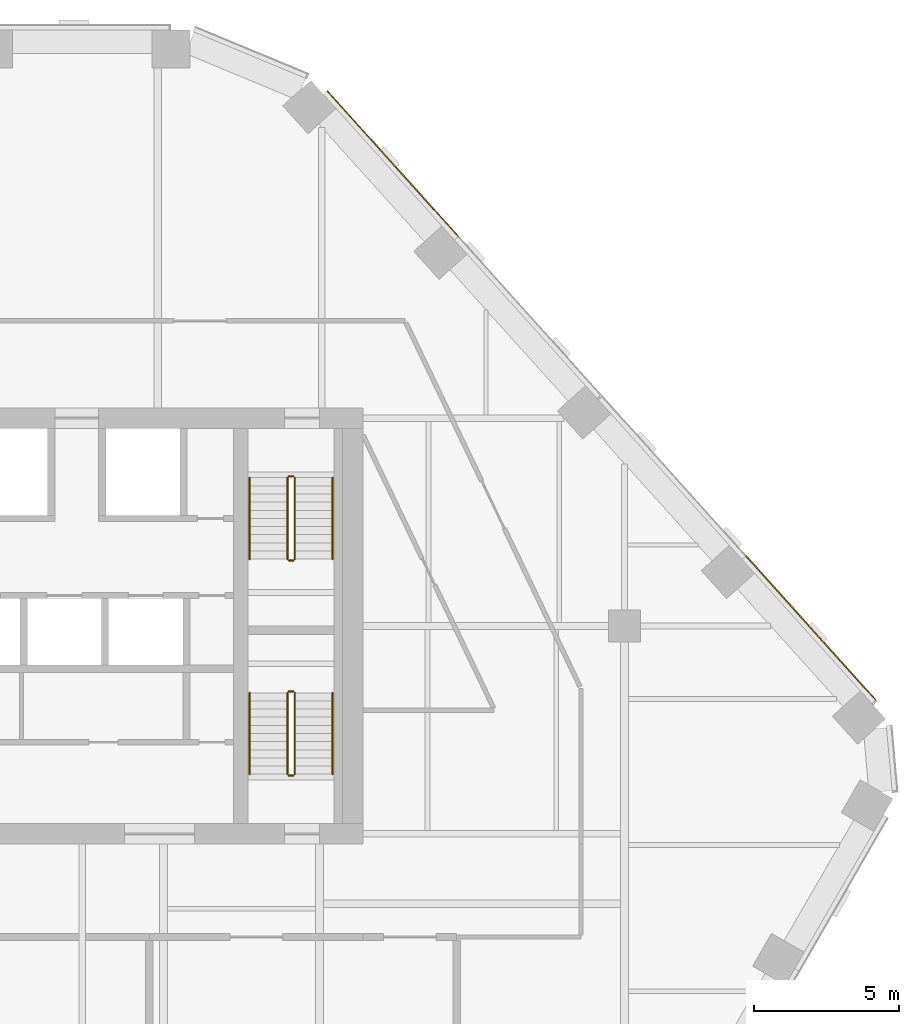
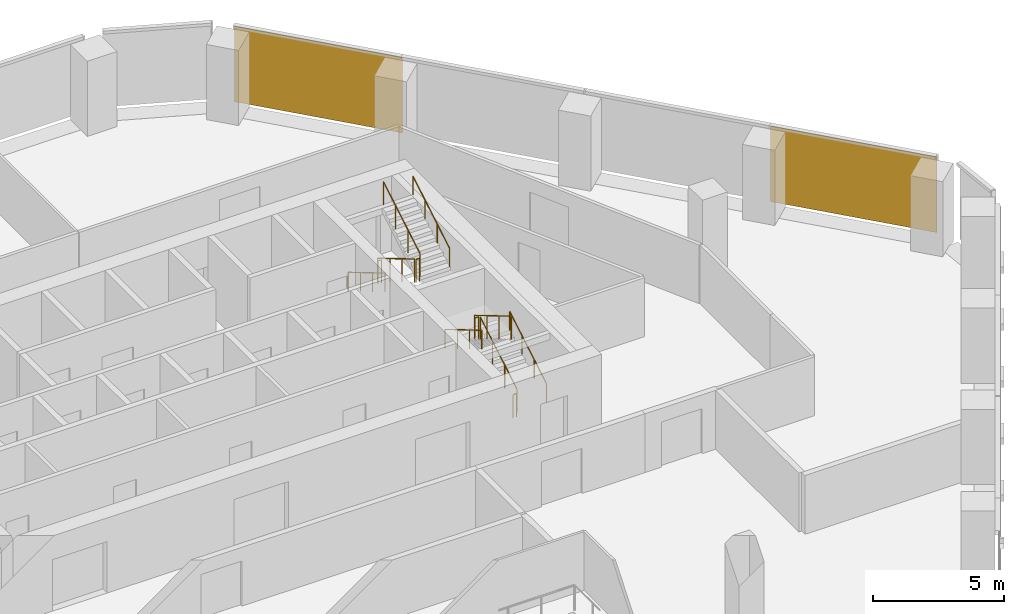
# One storey, part 17 of 17: 12 railings, 2 coverings, 1 element without a shape of its own.
"""IFC4 building model written with IfcOpenShell, lengths in metres."""

from ifc_helpers import new_model, si_unit, direction, frame, origin, origin_2d, place, context, subcontext, project, spatial, rectangle, circle, extrude, material, layer, layer_set, type_object, element, aggregate, save


model = new_model("IFC4")

# Units and contexts
model_context = context("Model", 3, precision=1e-05, world=origin(), true_north=direction((0.0, 1.0)))
body_context = subcontext(model_context, "Body", "Model", "MODEL_VIEW")
ifc_project = project(units=[si_unit("LENGTHUNIT", "METRE"), si_unit("AREAUNIT", "SQUARE_METRE"), si_unit("VOLUMEUNIT", "CUBIC_METRE"), si_unit("PLANEANGLEUNIT", "RADIAN"), si_unit("MASSUNIT", "GRAM", prefix="KILO")], contexts=[model_context])

# Site, building, storey
site_placement = place(None, origin())
site = spatial("IfcSite", under=ifc_project, at=site_placement, CompositionType="ELEMENT")
building_placement = place(site_placement, origin())
building = spatial("IfcBuilding", under=site, at=building_placement, Name="Isthmus Gate Tower", CompositionType="ELEMENT")
storey_placement = place(building_placement, frame((0.0, 0.0, 200.0)))
storey = spatial("IfcBuildingStorey", under=building, at=storey_placement, Name="L50", CompositionType="ELEMENT", Elevation=200.0)

# Curtain wall, coverings
ifc_material_1 = material(Name="Aluminium, pale champagne anodised", Category="aluminium")
ifc_layer_1 = layer(ifc_material_1, 0.199951171875)
ifc_layer_set_1 = layer_set([ifc_layer_1], Name="CW-1 UNITISED CURTAIN WALL 200 DEEP")
curtain_wall_type = type_object("IfcCurtainWallType", Name="CW-1 UNITISED CURTAIN WALL 200 DEEP", PredefinedType="NOTDEFINED", material=ifc_layer_set_1)
curtain_wall_placement = place(storey_placement, origin())
curtain_wall = element("IfcCurtainWall", 1, at=curtain_wall_placement, inside=storey, type_object=curtain_wall_type, Name="CW-1 NE L50", PredefinedType="NOTDEFINED")
ifc_material_2 = material(Name="Aluminium composite panel, pale champagne anodised", Category="aluminium")
ifc_layer_2 = layer(ifc_material_2, 0.035888671875)
ifc_layer_set_2 = layer_set([ifc_layer_2], Name="CW-1 PALE METAL PANEL 36")
covering_type = type_object("IfcCoveringType", Name="CW-1 PALE METAL PANEL 36", PredefinedType="CLADDING", material=ifc_layer_set_2)
covering_1_placement = place(storey_placement, frame((30.408447265625, 7.430908203125, 0.0), z_axis=(0.0, 0.0, 1.0), x_axis=(-0.669130606359, 0.743144825477, 0.0)))
covering_1 = element("IfcCovering", 2, at=covering_1_placement, type_object=covering_type, Name="CW-1 pale metal panel", PredefinedType="CLADDING", context=body_context, shape_type="SweptSolid", body=[
    extrude(rectangle(XDim=6.680908203125, YDim=0.035888671875, at=origin_2d()), origin(), (0.0, 0.0, 1.0), 3.510009765625),
])
covering_2_placement = place(storey_placement, frame((16.02734375, 23.40283203125, 0.0), z_axis=(0.0, 0.0, 1.0), x_axis=(-0.669130606359, 0.743144825477, 0.0)))
covering_2 = element("IfcCovering", 3, at=covering_2_placement, type_object=covering_type, Name="CW-1 pale metal panel", PredefinedType="CLADDING", context=body_context, shape_type="SweptSolid", body=[
    extrude(rectangle(XDim=6.74072265625, YDim=0.035888671875, at=origin_2d()), origin(), (0.0, 0.0, 1.0), 3.510009765625),
])
aggregate(curtain_wall, [covering_1, covering_2])

# Railings
ifc_material_3 = material(Name="Stainless steel balustrade", Category="steel")
railing_type_1 = type_object("IfcRailingType", Name="STAIR GUARD 1100", PredefinedType="GUARDRAIL", material=ifc_material_3)
railing_1_placement = place(storey_placement, frame((12.39990234375, 12.60009765625, 0.166015625)))
element("IfcRailing", 4, at=railing_1_placement, inside=storey, type_object=railing_type_1, Name="L50 ST2 stair guard 1", PredefinedType="GUARDRAIL", context=body_context, shape_type="SweptSolid", body=[
    extrude(circle(Radius=0.02392578125, at=origin_2d()), frame((0.0, 0.0, 1.076171875), z_axis=(0.0, -0.860339051648, 0.50972219513), x_axis=(1.0, 0.0, 0.0)), (0.0, 0.0, 1.0), 3.254638671875),
    extrude(circle(Radius=0.02099609375, at=origin_2d()), origin(), (0.0, 0.0, 1.0), 1.052001953125),
    extrude(circle(Radius=0.02099609375, at=origin_2d()), frame((0.0, -0.933349609375, 0.552978515625)), (0.0, 0.0, 1.0), 1.052001953125),
    extrude(circle(Radius=0.02099609375, at=origin_2d()), frame((0.0, -1.86669921875, 1.10595703125)), (0.0, 0.0, 1.0), 1.052001953125),
    extrude(circle(Radius=0.02099609375, at=origin_2d()), frame((0.0, -2.800048828125, 1.658935546875)), (0.0, 0.0, 1.0), 1.052001953125),
])
railing_2_placement = place(storey_placement, frame((12.449951171875, 9.75, 1.824951171875)))
element("IfcRailing", 5, at=railing_2_placement, inside=storey, type_object=railing_type_1, Name="L50 ST2 stair guard 2", PredefinedType="GUARDRAIL", context=body_context, shape_type="SweptSolid", body=[
    extrude(circle(Radius=0.02392578125, at=origin_2d()), frame((0.0, 0.0, 1.076171875), z_axis=(1.0, 0.0, 0.0), x_axis=(0.0, 1.0, 0.0)), (0.0, 0.0, 1.0), 0.150146484375),
    extrude(circle(Radius=0.02099609375, at=origin_2d()), origin(), (0.0, 0.0, 1.0), 1.052001953125),
    extrude(circle(Radius=0.02099609375, at=origin_2d()), frame((0.150146484375, 0.0, 0.0)), (0.0, 0.0, 1.0), 1.052001953125),
])
railing_3_placement = place(storey_placement, frame((12.64990234375, 9.800048828125, 1.990966796875)))
element("IfcRailing", 6, at=railing_3_placement, inside=storey, type_object=railing_type_1, Name="L50 ST2 stair guard 3", PredefinedType="GUARDRAIL", context=body_context, shape_type="SweptSolid", body=[
    extrude(circle(Radius=0.02392578125, at=origin_2d()), frame((0.0, 0.0, 1.076171875), z_axis=(0.0, 0.860339051648, 0.50972219513), x_axis=(-1.0, 0.0, 0.0)), (0.0, 0.0, 1.0), 3.254638671875),
    extrude(circle(Radius=0.02099609375, at=origin_2d()), origin(), (0.0, 0.0, 1.0), 1.052001953125),
    extrude(circle(Radius=0.02099609375, at=origin_2d()), frame((0.0, 0.933349609375, 0.552978515625)), (0.0, 0.0, 1.0), 1.052001953125),
    extrude(circle(Radius=0.02099609375, at=origin_2d()), frame((0.0, 1.86669921875, 1.10595703125)), (0.0, 0.0, 1.0), 1.052001953125),
    extrude(circle(Radius=0.02099609375, at=origin_2d()), frame((0.0, 2.800048828125, 1.658935546875)), (0.0, 0.0, 1.0), 1.052001953125),
])
railing_4_placement = place(storey_placement, frame((12.449951171875, 12.64990234375, 0.0)))
element("IfcRailing", 7, at=railing_4_placement, inside=storey, type_object=railing_type_1, Name="L50 ST2 stair guard 4", PredefinedType="GUARDRAIL", context=body_context, shape_type="SweptSolid", body=[
    extrude(circle(Radius=0.02392578125, at=origin_2d()), frame((0.0, 0.0, 1.076171875), z_axis=(1.0, 0.0, 0.0), x_axis=(0.0, 1.0, 0.0)), (0.0, 0.0, 1.0), 0.150146484375),
    extrude(circle(Radius=0.02099609375, at=origin_2d()), origin(), (0.0, 0.0, 1.0), 1.052001953125),
    extrude(circle(Radius=0.02099609375, at=origin_2d()), frame((0.150146484375, 0.0, 0.0)), (0.0, 0.0, 1.0), 1.052001953125),
])
railing_5_placement = place(storey_placement, frame((12.64990234375, 2.39990234375, 0.166015625)))
element("IfcRailing", 8, at=railing_5_placement, inside=storey, type_object=railing_type_1, Name="L50 ST8 stair guard 1", PredefinedType="GUARDRAIL", context=body_context, shape_type="SweptSolid", body=[
    extrude(circle(Radius=0.02392578125, at=origin_2d()), frame((0.0, 0.0, 1.076171875), z_axis=(0.0, 0.860339051648, 0.50972219513), x_axis=(-1.0, 0.0, 0.0)), (0.0, 0.0, 1.0), 3.254638671875),
    extrude(circle(Radius=0.02099609375, at=origin_2d()), origin(), (0.0, 0.0, 1.0), 1.052001953125),
    extrude(circle(Radius=0.02099609375, at=origin_2d()), frame((0.0, 0.933349609375, 0.552978515625)), (0.0, 0.0, 1.0), 1.052001953125),
    extrude(circle(Radius=0.02099609375, at=origin_2d()), frame((0.0, 1.86669921875, 1.10595703125)), (0.0, 0.0, 1.0), 1.052001953125),
    extrude(circle(Radius=0.02099609375, at=origin_2d()), frame((0.0, 2.800048828125, 1.658935546875)), (0.0, 0.0, 1.0), 1.052001953125),
])
railing_6_placement = place(storey_placement, frame((12.60009765625, 5.25, 1.824951171875)))
element("IfcRailing", 9, at=railing_6_placement, inside=storey, type_object=railing_type_1, Name="L50 ST8 stair guard 2", PredefinedType="GUARDRAIL", context=body_context, shape_type="SweptSolid", body=[
    extrude(circle(Radius=0.02392578125, at=origin_2d()), frame((0.0, 0.0, 1.076171875), z_axis=(-1.0, 0.0, 0.0), x_axis=(0.0, -1.0, 0.0)), (0.0, 0.0, 1.0), 0.150146484375),
    extrude(circle(Radius=0.02099609375, at=origin_2d()), origin(), (0.0, 0.0, 1.0), 1.052001953125),
    extrude(circle(Radius=0.02099609375, at=origin_2d()), frame((-0.150146484375, 0.0, 0.0)), (0.0, 0.0, 1.0), 1.052001953125),
])
railing_7_placement = place(storey_placement, frame((12.39990234375, 5.199951171875, 1.990966796875)))
element("IfcRailing", 10, at=railing_7_placement, inside=storey, type_object=railing_type_1, Name="L50 ST8 stair guard 3", PredefinedType="GUARDRAIL", context=body_context, shape_type="SweptSolid", body=[
    extrude(circle(Radius=0.02392578125, at=origin_2d()), frame((0.0, 0.0, 1.076171875), z_axis=(0.0, -0.860339051648, 0.50972219513), x_axis=(1.0, 0.0, 0.0)), (0.0, 0.0, 1.0), 3.254638671875),
    extrude(circle(Radius=0.02099609375, at=origin_2d()), origin(), (0.0, 0.0, 1.0), 1.052001953125),
    extrude(circle(Radius=0.02099609375, at=origin_2d()), frame((0.0, -0.933349609375, 0.552978515625)), (0.0, 0.0, 1.0), 1.052001953125),
    extrude(circle(Radius=0.02099609375, at=origin_2d()), frame((0.0, -1.86669921875, 1.10595703125)), (0.0, 0.0, 1.0), 1.052001953125),
    extrude(circle(Radius=0.02099609375, at=origin_2d()), frame((0.0, -2.800048828125, 1.658935546875)), (0.0, 0.0, 1.0), 1.052001953125),
])
railing_8_placement = place(storey_placement, frame((12.60009765625, 2.35009765625, 0.0)))
element("IfcRailing", 11, at=railing_8_placement, inside=storey, type_object=railing_type_1, Name="L50 ST8 stair guard 4", PredefinedType="GUARDRAIL", context=body_context, shape_type="SweptSolid", body=[
    extrude(circle(Radius=0.02392578125, at=origin_2d()), frame((0.0, 0.0, 1.076171875), z_axis=(-1.0, 0.0, 0.0), x_axis=(0.0, -1.0, 0.0)), (0.0, 0.0, 1.0), 0.150146484375),
    extrude(circle(Radius=0.02099609375, at=origin_2d()), origin(), (0.0, 0.0, 1.0), 1.052001953125),
    extrude(circle(Radius=0.02099609375, at=origin_2d()), frame((-0.150146484375, 0.0, 0.0)), (0.0, 0.0, 1.0), 1.052001953125),
])
ifc_material_4 = material(Name="Stainless steel handrail", Category="steel")
railing_type_2 = type_object("IfcRailingType", Name="STAIR HANDRAIL 900", PredefinedType="HANDRAIL", material=ifc_material_4)
railing_9_placement = place(storey_placement, frame((11.10009765625, 12.60009765625, 0.166015625)))
element("IfcRailing", 12, at=railing_9_placement, inside=storey, type_object=railing_type_2, Name="L50 ST2 stair handrail 1", PredefinedType="HANDRAIL", context=body_context, shape_type="SweptSolid", body=[
    extrude(circle(Radius=0.02392578125, at=origin_2d()), frame((0.0, 0.0, 0.8759765625), z_axis=(0.0, -0.860339051648, 0.50972219513), x_axis=(1.0, 0.0, 0.0)), (0.0, 0.0, 1.0), 3.254638671875),
    extrude(circle(Radius=0.02099609375, at=origin_2d()), origin(), (0.0, 0.0, 1.0), 0.851806640625),
    extrude(circle(Radius=0.02099609375, at=origin_2d()), frame((0.0, -0.933349609375, 0.552978515625)), (0.0, 0.0, 1.0), 0.851806640625),
    extrude(circle(Radius=0.02099609375, at=origin_2d()), frame((0.0, -1.86669921875, 1.10595703125)), (0.0, 0.0, 1.0), 0.851806640625),
    extrude(circle(Radius=0.02099609375, at=origin_2d()), frame((0.0, -2.800048828125, 1.658935546875)), (0.0, 0.0, 1.0), 0.851806640625),
])
for number, where, name in (
    (13, (13.949951171875, 9.800048828125, 1.990966796875), "L50 ST2 stair handrail 2"),
    (14, (13.949951171875, 2.39990234375, 0.166015625), "L50 ST8 stair handrail 1"),
):
    element("IfcRailing", number, at=place(storey_placement, frame(where)), inside=storey, type_object=railing_type_2, Name=name, PredefinedType="HANDRAIL", context=body_context, shape_type="SweptSolid", body=[
        extrude(circle(Radius=0.02392578125, at=origin_2d()), frame((0.0, 0.0, 0.8759765625), z_axis=(0.0, 0.860339051648, 0.50972219513), x_axis=(-1.0, 0.0, 0.0)), (0.0, 0.0, 1.0), 3.254638671875),
        extrude(circle(Radius=0.02099609375, at=origin_2d()), origin(), (0.0, 0.0, 1.0), 0.851806640625),
        extrude(circle(Radius=0.02099609375, at=origin_2d()), frame((0.0, 0.933349609375, 0.552978515625)), (0.0, 0.0, 1.0), 0.851806640625),
        extrude(circle(Radius=0.02099609375, at=origin_2d()), frame((0.0, 1.86669921875, 1.10595703125)), (0.0, 0.0, 1.0), 0.851806640625),
        extrude(circle(Radius=0.02099609375, at=origin_2d()), frame((0.0, 2.800048828125, 1.658935546875)), (0.0, 0.0, 1.0), 0.851806640625),
    ])
railing_10_placement = place(storey_placement, frame((11.10009765625, 5.199951171875, 1.990966796875)))
element("IfcRailing", 15, at=railing_10_placement, inside=storey, type_object=railing_type_2, Name="L50 ST8 stair handrail 2", PredefinedType="HANDRAIL", context=body_context, shape_type="SweptSolid", body=[
    extrude(circle(Radius=0.02392578125, at=origin_2d()), frame((0.0, 0.0, 0.8759765625), z_axis=(0.0, -0.860339051648, 0.50972219513), x_axis=(1.0, 0.0, 0.0)), (0.0, 0.0, 1.0), 3.254638671875),
    extrude(circle(Radius=0.02099609375, at=origin_2d()), origin(), (0.0, 0.0, 1.0), 0.851806640625),
    extrude(circle(Radius=0.02099609375, at=origin_2d()), frame((0.0, -0.933349609375, 0.552978515625)), (0.0, 0.0, 1.0), 0.851806640625),
    extrude(circle(Radius=0.02099609375, at=origin_2d()), frame((0.0, -1.86669921875, 1.10595703125)), (0.0, 0.0, 1.0), 0.851806640625),
    extrude(circle(Radius=0.02099609375, at=origin_2d()), frame((0.0, -2.800048828125, 1.658935546875)), (0.0, 0.0, 1.0), 0.851806640625),
])

save(model, "model.ifc")
